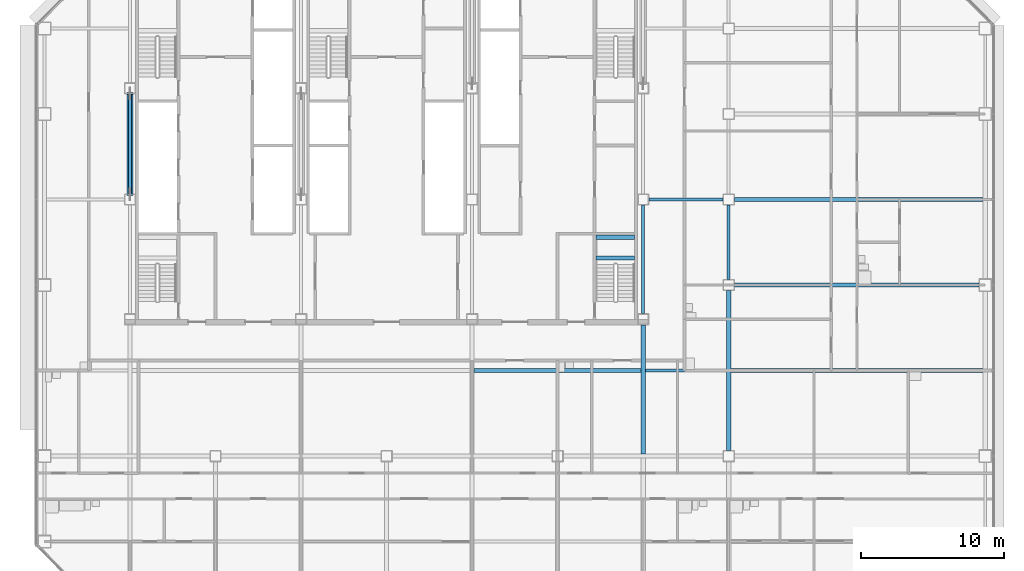
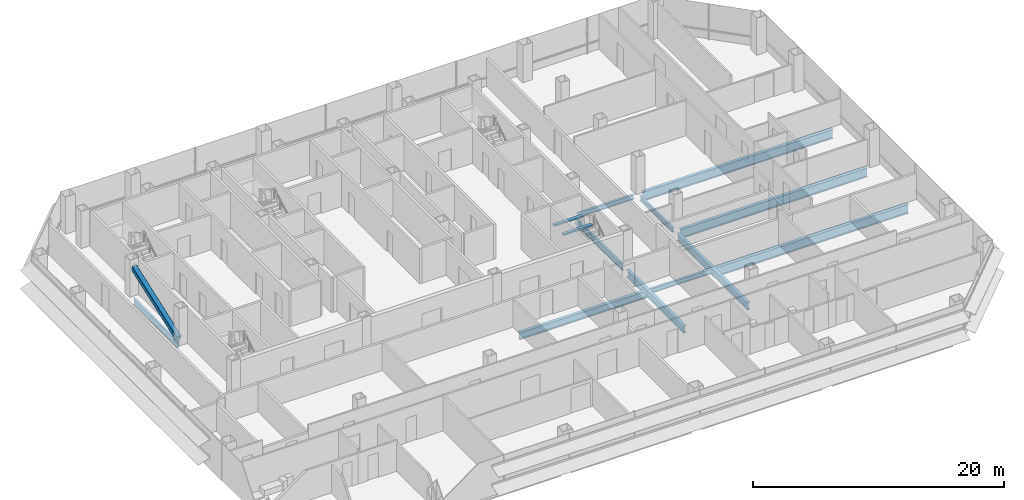
# One storey, part 10 of 27: 13 beams, 1 member.
"""IFC4 building model written with IfcOpenShell, lengths in metres."""

from ifc_helpers import new_model, si_unit, direction, frame, origin, origin_2d, place, context, subcontext, project, spatial, rectangle, hollow_rectangle, i_section, extrude, material, material_profile, profile_set, type_object, element, save


model = new_model("IFC4")

# Units and contexts
model_context = context("Model", 3, precision=1e-05, world=origin(), true_north=direction((0.0, 1.0)))
body_context = subcontext(model_context, "Body", "Model", "MODEL_VIEW")
ifc_project = project(units=[si_unit("LENGTHUNIT", "METRE"), si_unit("AREAUNIT", "SQUARE_METRE"), si_unit("VOLUMEUNIT", "CUBIC_METRE"), si_unit("PLANEANGLEUNIT", "RADIAN"), si_unit("MASSUNIT", "GRAM", prefix="KILO")], contexts=[model_context])

# Site, building, storey
site_placement = place(None, origin())
site = spatial("IfcSite", under=ifc_project, at=site_placement, CompositionType="ELEMENT")
building_placement = place(site_placement, origin())
building = spatial("IfcBuilding", under=site, at=building_placement, Name="Sorahane Residences", CompositionType="ELEMENT")
storey_placement = place(building_placement, frame((0.0, 0.0, 57.0)))
storey = spatial("IfcBuildingStorey", under=building, at=storey_placement, Name="L10", CompositionType="ELEMENT", Elevation=57.0)

# Member
ifc_material_1 = material(Name="Steel Q355B", Category="steel")
ifc_material_profile_1 = material_profile(ifc_material_1, hollow_rectangle(XDim=0.449951171875, YDim=0.449951171875, WallThickness=0.02197265625, InnerFilletRadius=0.010986328125, OuterFilletRadius=0.032958984375, at=origin_2d()), Name="RHS 450x450x22")
ifc_profile_set_1 = profile_set([ifc_material_profile_1], Name="Steel Q355B")
member_type = type_object("IfcMemberType", Name="Core brace RHS 450x450x22 Q355B", PredefinedType="BRACE", material=ifc_profile_set_1)
member_placement = place(storey_placement, frame((6.0, 30.354248046875, 0.20849609375), z_axis=(0.0, 0.940886586011, 0.338721762313), x_axis=(-1.0, 0.0, 0.0)))
element("IfcMember", 1, at=member_placement, inside=storey, type_object=member_type, Name="Core brace L10 x6-2", PredefinedType="BRACE", context=body_context, shape_type="SweptSolid", body=[
    extrude(hollow_rectangle(XDim=0.449951171875, YDim=0.449951171875, WallThickness=0.02197265625, InnerFilletRadius=0.010986328125, OuterFilletRadius=0.032958984375, at=origin_2d()), origin(), (0.0, 0.0, 1.0), 7.537109375),
])

# Beams
ifc_material_2 = material(Name="Concrete C40", Category="concrete")
ifc_material_profile_2 = material_profile(ifc_material_2, rectangle(XDim=0.300048828125, YDim=0.139892578125, at=origin_2d()), Name="300x140")
ifc_profile_set_2 = profile_set([ifc_material_profile_2], Name="Concrete C40")
beam_type_1 = type_object("IfcBeamType", Name="RC landing beam 300 x 140 Concrete C40", PredefinedType="BEAM", material=ifc_profile_set_2)
for number, where, z_axis, x_axis, name in (
    (2, (38.699951171875, 25.89990234375, 1.530029296875), (1.0, 0.0, 0.0), (0.0, 1.0, 0.0), "Landing beam"),
    (3, (38.699951171875, 27.35009765625, 1.530029296875), (1.0, 0.0, 0.0), (0.0, 1.0, 0.0), "Landing beam"),
):
    element("IfcBeam", number, at=place(storey_placement, frame(where, z_axis=z_axis, x_axis=x_axis)), inside=storey, type_object=beam_type_1, Name=name, PredefinedType="BEAM", context=body_context, shape_type="SweptSolid", body=[
        extrude(rectangle(XDim=0.300048828125, YDim=0.139892578125, at=origin_2d()), origin(), (0.0, 0.0, 1.0), 2.699951171875),
    ])
ifc_material_3 = material(Name="Steel Q355B", Category="steel")
ifc_material_profile_3 = material_profile(ifc_material_3, i_section(OverallWidth=0.199951171875, OverallDepth=0.449951171875, WebThickness=0.009033203125, FlangeThickness=0.013916015625, FilletRadius=0.02001953125, at=origin_2d()), Name="HN 450x200x9x14")
ifc_profile_set_3 = profile_set([ifc_material_profile_3], Name="Steel Q355B")
beam_type_2 = type_object("IfcBeamType", Name="Steel floor beam HN 450x200x9x14 Q355B", PredefinedType="BEAM", material=ifc_profile_set_3)
beam_1_placement = place(storey_placement, frame((48.0, 24.39990234375, -0.405029296875), z_axis=(0.0, 1.0, 0.0), x_axis=(-1.0, 0.0, 0.0)))
element("IfcBeam", 4, at=beam_1_placement, inside=storey, type_object=beam_type_2, Name="Beam L10 053", PredefinedType="BEAM", context=body_context, shape_type="SweptSolid", body=[
    extrude(i_section(OverallWidth=0.199951171875, OverallDepth=0.449951171875, WebThickness=0.009033203125, FlangeThickness=0.013916015625, FilletRadius=0.02001953125, at=origin_2d()), origin(), (0.0, 0.0, 1.0), 5.2001953125),
])
beam_2_placement = place(storey_placement, frame((42.14990234375, 18.0, -0.405029296875), z_axis=(1.0, 0.0, 0.0), x_axis=(0.0, 1.0, 0.0)))
element("IfcBeam", 5, at=beam_2_placement, inside=storey, type_object=beam_type_2, Name="Beam L10 074", PredefinedType="BEAM", context=body_context, shape_type="SweptSolid", body=[
    extrude(i_section(OverallWidth=0.199951171875, OverallDepth=0.449951171875, WebThickness=0.009033203125, FlangeThickness=0.013916015625, FilletRadius=0.02001953125, at=origin_2d()), origin(), (0.0, 0.0, 1.0), 5.7001953125),
])
beam_3_placement = place(storey_placement, frame((42.39990234375, 30.0, -0.405029296875), z_axis=(1.0, 0.0, 0.0), x_axis=(0.0, 1.0, 0.0)))
element("IfcBeam", 6, at=beam_3_placement, inside=storey, type_object=beam_type_2, Name="Beam L10 077", PredefinedType="BEAM", context=body_context, shape_type="SweptSolid", body=[
    extrude(i_section(OverallWidth=0.199951171875, OverallDepth=0.449951171875, WebThickness=0.009033203125, FlangeThickness=0.013916015625, FilletRadius=0.02001953125, at=origin_2d()), origin(), (0.0, 0.0, 1.0), 5.2001953125),
])
ifc_material_4 = material(Name="Steel Q355B", Category="steel")
ifc_material_profile_4 = material_profile(ifc_material_4, i_section(OverallWidth=0.199951171875, OverallDepth=0.60009765625, WebThickness=0.010986328125, FlangeThickness=0.01708984375, FilletRadius=0.02392578125, at=origin_2d()), Name="HN 600x200x11x17")
ifc_profile_set_4 = profile_set([ifc_material_profile_4], Name="Steel Q355B")
beam_type_3 = type_object("IfcBeamType", Name="Steel floor beam HN 600x200x11x17 Q355B", PredefinedType="BEAM", material=ifc_profile_set_4)
beam_4_placement = place(storey_placement, frame((6.0, 30.39990234375, -0.47998046875), z_axis=(0.0, 1.0, 0.0), x_axis=(-1.0, 0.0, 0.0)))
element("IfcBeam", 7, at=beam_4_placement, inside=storey, type_object=beam_type_3, Name="Beam L10 024", PredefinedType="BEAM", context=body_context, shape_type="SweptSolid", body=[
    extrude(i_section(OverallWidth=0.199951171875, OverallDepth=0.60009765625, WebThickness=0.010986328125, FlangeThickness=0.01708984375, FilletRadius=0.02392578125, at=origin_2d()), origin(), (0.0, 0.0, 1.0), 7.0),
])
beam_5_placement = place(storey_placement, frame((42.0, 22.0, -0.47998046875), z_axis=(0.0, 1.0, 0.0), x_axis=(-1.0, 0.0, 0.0)))
element("IfcBeam", 8, at=beam_5_placement, inside=storey, type_object=beam_type_3, Name="Beam L10 047", PredefinedType="BEAM", context=body_context, shape_type="SweptSolid", body=[
    extrude(i_section(OverallWidth=0.199951171875, OverallDepth=0.60009765625, WebThickness=0.010986328125, FlangeThickness=0.01708984375, FilletRadius=0.02392578125, at=origin_2d()), origin(), (0.0, 0.0, 1.0), 7.60009765625),
])
ifc_material_5 = material(Name="Steel Q355B", Category="steel")
ifc_material_profile_5 = material_profile(ifc_material_5, i_section(OverallWidth=0.300048828125, OverallDepth=0.699951171875, WebThickness=0.012939453125, FlangeThickness=0.02392578125, FilletRadius=0.028076171875, at=origin_2d()), Name="HN 700x300x13x24")
ifc_profile_set_5 = profile_set([ifc_material_profile_5], Name="Steel Q355B")
beam_type_4 = type_object("IfcBeamType", Name="Steel floor beam HN 700x300x13x24 Q355B", PredefinedType="BEAM", material=ifc_profile_set_5)
beam_6_placement = place(storey_placement, frame((42.0, 12.14990234375, -0.530029296875), z_axis=(0.0, 1.0, 0.0), x_axis=(-1.0, 0.0, 0.0)))
element("IfcBeam", 9, at=beam_6_placement, inside=storey, type_object=beam_type_4, Name="Beam L10 046", PredefinedType="BEAM", context=body_context, shape_type="SweptSolid", body=[
    extrude(i_section(OverallWidth=0.300048828125, OverallDepth=0.699951171875, WebThickness=0.012939453125, FlangeThickness=0.02392578125, FilletRadius=0.028076171875, at=origin_2d()), origin(), (0.0, 0.0, 1.0), 9.050048828125),
])
beam_7_placement = place(storey_placement, frame((48.0, 12.39990234375, -0.530029296875), z_axis=(0.0, 1.0, 0.0), x_axis=(-1.0, 0.0, 0.0)))
element("IfcBeam", 10, at=beam_7_placement, inside=storey, type_object=beam_type_4, Name="Beam L10 052", PredefinedType="BEAM", context=body_context, shape_type="SweptSolid", body=[
    extrude(i_section(OverallWidth=0.300048828125, OverallDepth=0.699951171875, WebThickness=0.012939453125, FlangeThickness=0.02392578125, FilletRadius=0.028076171875, at=origin_2d()), origin(), (0.0, 0.0, 1.0), 11.2001953125),
])
beam_8_placement = place(storey_placement, frame((30.14990234375, 18.0, -0.530029296875), z_axis=(1.0, 0.0, 0.0), x_axis=(0.0, 1.0, 0.0)))
element("IfcBeam", 11, at=beam_8_placement, inside=storey, type_object=beam_type_4, Name="Beam L10 073", PredefinedType="BEAM", context=body_context, shape_type="SweptSolid", body=[
    extrude(i_section(OverallWidth=0.300048828125, OverallDepth=0.699951171875, WebThickness=0.012939453125, FlangeThickness=0.02392578125, FilletRadius=0.028076171875, at=origin_2d()), origin(), (0.0, 0.0, 1.0), 11.7001953125),
])
ifc_material_6 = material(Name="Steel Q355B", Category="steel")
ifc_material_profile_6 = material_profile(ifc_material_6, i_section(OverallWidth=0.300048828125, OverallDepth=0.89990234375, WebThickness=0.01611328125, FlangeThickness=0.028076171875, FilletRadius=0.028076171875, at=origin_2d()), Name="HN 900x300x16x28")
ifc_profile_set_6 = profile_set([ifc_material_profile_6], Name="Steel Q355B")
beam_type_5 = type_object("IfcBeamType", Name="Steel floor beam HN 900x300x16x28 Q355B", PredefinedType="BEAM", material=ifc_profile_set_6)
beam_9_placement = place(storey_placement, frame((48.39990234375, 24.0, -0.6298828125), z_axis=(1.0, 0.0, 0.0), x_axis=(0.0, 1.0, 0.0)))
element("IfcBeam", 12, at=beam_9_placement, inside=storey, type_object=beam_type_5, Name="Beam L10 010", PredefinedType="BEAM", context=body_context, shape_type="SweptSolid", body=[
    extrude(i_section(OverallWidth=0.300048828125, OverallDepth=0.89990234375, WebThickness=0.01611328125, FlangeThickness=0.028076171875, FilletRadius=0.028076171875, at=origin_2d()), origin(), (0.0, 0.0, 1.0), 17.150146484375),
])
beam_10_placement = place(storey_placement, frame((48.14990234375, 18.0, -0.6298828125), z_axis=(1.0, 0.0, 0.0), x_axis=(0.0, 1.0, 0.0)))
element("IfcBeam", 13, at=beam_10_placement, inside=storey, type_object=beam_type_5, Name="Beam L10 075", PredefinedType="BEAM", context=body_context, shape_type="SweptSolid", body=[
    extrude(i_section(OverallWidth=0.300048828125, OverallDepth=0.89990234375, WebThickness=0.01611328125, FlangeThickness=0.028076171875, FilletRadius=0.028076171875, at=origin_2d()), origin(), (0.0, 0.0, 1.0), 17.7001953125),
])
beam_11_placement = place(storey_placement, frame((48.39990234375, 30.0, -0.6298828125), z_axis=(1.0, 0.0, 0.0), x_axis=(0.0, 1.0, 0.0)))
element("IfcBeam", 14, at=beam_11_placement, inside=storey, type_object=beam_type_5, Name="Beam L10 078", PredefinedType="BEAM", context=body_context, shape_type="SweptSolid", body=[
    extrude(i_section(OverallWidth=0.300048828125, OverallDepth=0.89990234375, WebThickness=0.01611328125, FlangeThickness=0.028076171875, FilletRadius=0.028076171875, at=origin_2d()), origin(), (0.0, 0.0, 1.0), 17.4501953125),
])

save(model, "model.ifc")
